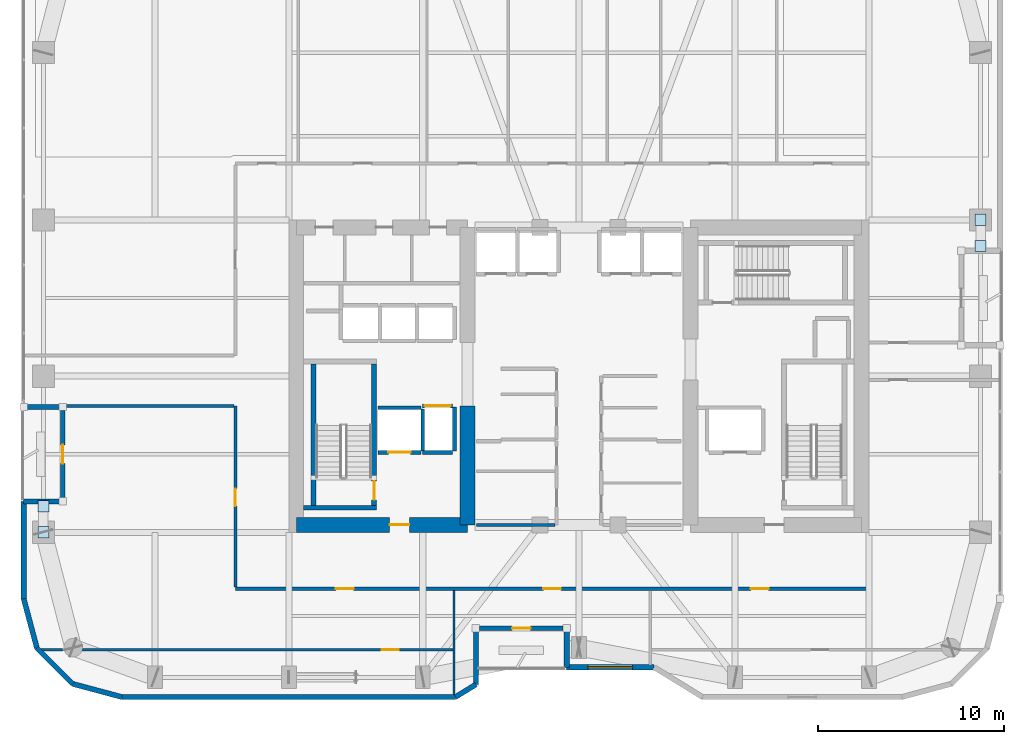
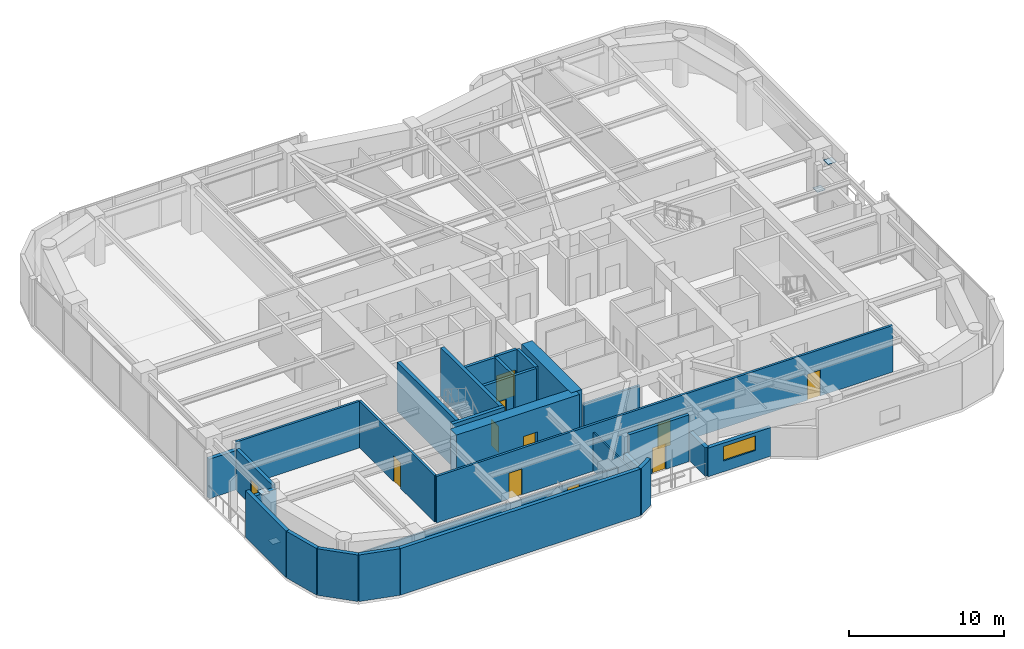
# One storey, part 24 of 30: 30 walls, 11 doors, 4 plates, 1 window, 12 openings.
"""IFC4 building model written with IfcOpenShell, lengths in metres."""

from ifc_helpers import new_model, si_unit, direction, frame, frame_2d, origin, origin_2d, place, context, subcontext, project, spatial, rectangle, extrude, material, layer, layer_set, type_object, element, fill, save


model = new_model("IFC4")

# Units and contexts
model_context = context("Model", 3, precision=1e-05, world=origin(), true_north=direction((0.0, 1.0)))
body_context = subcontext(model_context, "Body", "Model", "MODEL_VIEW")
ifc_project = project(units=[si_unit("LENGTHUNIT", "METRE"), si_unit("AREAUNIT", "SQUARE_METRE"), si_unit("VOLUMEUNIT", "CUBIC_METRE"), si_unit("PLANEANGLEUNIT", "RADIAN"), si_unit("MASSUNIT", "GRAM", prefix="KILO")], contexts=[model_context])

# Site, building, storey
site_placement = place(None, origin())
site = spatial("IfcSite", under=ifc_project, at=site_placement, CompositionType="ELEMENT")
building_placement = place(site_placement, origin())
building = spatial("IfcBuilding", under=site, at=building_placement, Name="Kiyonajd Concourse Tower", CompositionType="ELEMENT")
storey_placement = place(building_placement, frame((0.0, 0.0, 174.0)))
storey = spatial("IfcBuildingStorey", under=building, at=storey_placement, Name="L44", CompositionType="ELEMENT", Elevation=174.0)

# Plates
ifc_material_1 = material(Name="Steel ASTM A572 Grade 50", Category="steel")
ifc_layer_1 = layer(ifc_material_1, 0.028076171875)
ifc_layer_set_1 = layer_set([ifc_layer_1], Name="Steel ASTM A572 Grade 50")
plate_type = type_object("IfcPlateType", Name="PL-CAP-450", PredefinedType="USERDEFINED", material=ifc_layer_set_1)
for number, where, z_axis, x_axis, name in (
    (1, (19.199951171875, 27.595458984375, 0.27587890625), (0.0, 0.0, 1.0), (1.0, 0.0, 0.0), "L44 Hollow Brace End Cap Plate PBW"),
    (2, (19.199951171875, 29.004638671875, 3.326171875), (0.0, 0.0, 1.0), (1.0, 0.0, 0.0), "L44 Hollow Brace Top Cap Plate PBW"),
    (3, (69.60009765625, 44.404541015625, 0.27587890625), (0.0, 0.0, 1.0), (1.0, 0.0, 0.0), "L44 Hollow Brace End Cap Plate PBE"),
    (4, (69.60009765625, 42.995361328125, 3.326171875), (0.0, 0.0, 1.0), (1.0, 0.0, 0.0), "L44 Hollow Brace Top Cap Plate PBE"),
):
    element("IfcPlate", number, at=place(storey_placement, frame(where, z_axis=z_axis, x_axis=x_axis)), inside=storey, type_object=plate_type, Name=name, ObjectType="CAP PLATE", PredefinedType="USERDEFINED", context=body_context, shape_type="SweptSolid", body=[
        extrude(rectangle(XDim=0.60791015625, YDim=0.60791015625, at=origin_2d()), origin(), (0.0, 0.0, 1.0), 0.028076171875),
    ])

# Wall
ifc_material_2 = material(Name="Concrete C70/85", Category="concrete")
ifc_layer_2 = layer(ifc_material_2, 0.800048828125)
ifc_layer_set_2 = layer_set([ifc_layer_2], Name="Concrete C70/85")
wall_type_1 = type_object("IfcWallType", Name="WL-CORE-800", PredefinedType="SHEAR", material=ifc_layer_set_2)
wall_1_placement = place(storey_placement, frame((42.0, 28.0, 0.0), z_axis=(0.0, 0.0, 1.0), x_axis=(0.0, 1.0, 0.0)))
element("IfcWall", 5, at=wall_1_placement, inside=storey, type_object=wall_type_1, Name="L44 West Core Inner South Shear Wall", PredefinedType="SHEAR", context=body_context, shape_type="SweptSolid", body=[
    extrude(rectangle(XDim=6.39990234375, YDim=0.800048828125, at=frame_2d((3.199951171875, 0.0))), origin(), (0.0, 0.0, 1.0), 3.89990234375),
])

# Wall, opening, door
wall_2_placement = place(storey_placement, frame((32.800048828125, 28.0, 0.0), z_axis=(0.0, 0.0, 1.0), x_axis=(1.0, 0.0, 0.0)))
wall_2 = element("IfcWall", 6, at=wall_2_placement, inside=storey, type_object=wall_type_1, Name="L44 West Core South Shear Wall", PredefinedType="SHEAR", context=body_context, shape_type="SweptSolid", body=[
    extrude(rectangle(XDim=9.199951171875, YDim=0.800048828125, at=frame_2d((4.60009765625, 0.0))), origin(), (0.0, 0.0, 1.0), 3.89990234375),
])
opening_1_placement = place(wall_2_placement, frame((5.02490234375, 0.0, 0.0)))
opening_1 = element("IfcOpeningElement", 7, at=opening_1_placement, cuts=wall_2, Name="Opening DF5", PredefinedType="OPENING", context=body_context, shape_type="SweptSolid", body=[
    extrude(rectangle(XDim=1.050048828125, YDim=2.0400390625, at=frame_2d((0.52490234375, 1.02001953125))), frame((0.0, 0.409912109375, 0.0), z_axis=(0.0, -1.0, 0.0), x_axis=(1.0, 0.0, 0.0)), (0.0, 0.0, 1.0), 0.820068359375),
])
ifc_material_3 = material(Name="Brushed Stainless Steel Cab Assembly", Category="steel")
door_type_1 = type_object("IfcDoorType", Name="DR-FD45-1050", OperationType="NOTDEFINED", PredefinedType="DOOR", material=ifc_material_3)
door_1_placement = place(opening_1_placement, origin())
door_1 = element("IfcDoor", 8, at=door_1_placement, inside=storey, type_object=door_type_1, Name="L44 Firefighting Lift Lobby W Smoke Door", OperationType="SINGLE_SWING_LEFT", OverallHeight=2.0400390625, OverallWidth=1.050048828125, PredefinedType="DOOR", context=body_context, shape_type="SweptSolid", body=[
    extrude(rectangle(XDim=1.050048828125, YDim=2.0400390625, at=frame_2d((0.52490234375, 1.02001953125))), frame((0.0, 0.02490234375, 0.0), z_axis=(0.0, -1.0, 0.0), x_axis=(1.0, 0.0, 0.0)), (0.0, 0.0, 1.0), 0.050048828125),
])
fill(opening_1, door_1)

# Walls
ifc_material_4 = material(Name="Precast concrete C50/60", Category="concrete")
ifc_layer_3 = layer(ifc_material_4, 0.280029296875)
ifc_layer_set_3 = layer_set([ifc_layer_3], Name="Precast concrete C50/60")
wall_type_2 = type_object("IfcWallType", Name="WL-EXT-280", PredefinedType="SOLIDWALL", material=ifc_layer_set_3)
wall_3_placement = place(storey_placement, frame((18.848388671875, 21.37255859375, 0.0), z_axis=(0.0, 0.0, 1.0), x_axis=(-0.258672222976, 0.9659651552, 0.0)))
element("IfcWall", 9, at=wall_3_placement, inside=storey, type_object=wall_type_2, Name="L44 Exterior Concrete Frame Wall 00", PredefinedType="SOLIDWALL", context=body_context, shape_type="SweptSolid", body=[
    extrude(rectangle(XDim=2.739013671875, YDim=0.280029296875, at=frame_2d((1.36962890625, 0.0))), origin(), (0.0, 0.0, 1.0), 3.679931640625),
])
wall_4_placement = place(storey_placement, frame((18.139892578125, 24.018310546875, 0.0), z_axis=(0.0, 0.0, 1.0), x_axis=(0.0, 1.0, 0.0)))
element("IfcWall", 10, at=wall_4_placement, inside=storey, type_object=wall_type_2, Name="L44 Exterior Concrete Frame Wall 01", PredefinedType="SOLIDWALL", context=body_context, shape_type="SweptSolid", body=[
    extrude(rectangle(XDim=5.24169921875, YDim=0.280029296875, at=frame_2d((2.620849609375, 0.0))), origin(), (0.0, 0.0, 1.0), 3.679931640625),
])
for number, where, z_axis, x_axis, name in (
    (11, (18.139892578125, 29.260009765625, 0.0), (0.0, 0.0, 1.0), (1.0, 0.0, 0.0), "L44 Exterior Concrete Frame Wall 02"),
    (12, (20.239990234375, 34.340087890625, 0.0), (0.0, 0.0, 1.0), (-1.0, 0.0, 0.0), "L44 Exterior Concrete Frame Wall 04"),
):
    element("IfcWall", number, at=place(storey_placement, frame(where, z_axis=z_axis, x_axis=x_axis)), inside=storey, type_object=wall_type_2, Name=name, PredefinedType="SOLIDWALL", context=body_context, shape_type="SweptSolid", body=[
        extrude(rectangle(XDim=2.10009765625, YDim=0.280029296875, at=frame_2d((1.050048828125, 0.0))), origin(), (0.0, 0.0, 1.0), 3.115966796875),
    ])

# Wall, opening, window
wall_5_placement = place(storey_placement, frame((52.03955078125, 20.340087890625, 0.0), z_axis=(0.0, 0.0, 1.0), x_axis=(-1.0, 0.0, 0.0)))
wall_5 = element("IfcWall", 13, at=wall_5_placement, inside=storey, type_object=wall_type_2, Name="L44 Exterior Concrete Frame Wall 30", PredefinedType="SOLIDWALL", context=body_context, shape_type="SweptSolid", body=[
    extrude(rectangle(XDim=4.699462890625, YDim=0.280029296875, at=frame_2d((2.349609375, 0.0))), origin(), (0.0, 0.0, 1.0), 2.264892578125),
])
opening_2_placement = place(wall_5_placement, frame((1.155029296875, 0.0, 0.85009765625)))
opening_2 = element("IfcOpeningElement", 14, at=opening_2_placement, cuts=wall_5, Name="Opening WN4", PredefinedType="OPENING", context=body_context, shape_type="SweptSolid", body=[
    extrude(rectangle(XDim=2.39990234375, YDim=1.14990234375, at=frame_2d((1.199951171875, 0.574951171875))), frame((0.0, 0.14990234375, 0.0), z_axis=(0.0, -1.0, 0.0), x_axis=(1.0, 0.0, 0.0)), (0.0, 0.0, 1.0), 0.300048828125),
])
ifc_material_5 = material(Name="Double Low-E Insulated Glass", Category="glass")
window_type = type_object("IfcWindowType", Name="WN-VIS-2400x1150", PartitioningType="SINGLE_PANEL", PredefinedType="WINDOW", material=ifc_material_5)
window_placement = place(opening_2_placement, origin())
window = element("IfcWindow", 15, at=window_placement, inside=storey, type_object=window_type, Name="L44 Modular Facade Vision Window 30", OverallHeight=1.14990234375, OverallWidth=2.39990234375, PartitioningType="SINGLE_PANEL", PredefinedType="WINDOW", context=body_context, shape_type="SweptSolid", body=[
    extrude(rectangle(XDim=2.39990234375, YDim=1.14990234375, at=frame_2d((1.199951171875, 0.574951171875))), frame((0.0, 0.030029296875, 0.0), z_axis=(0.0, -1.0, 0.0), x_axis=(1.0, 0.0, 0.0)), (0.0, 0.0, 1.0), 0.06005859375),
])
fill(opening_2, window)

# Walls
wall_6_placement = place(storey_placement, frame((47.340087890625, 20.340087890625, 0.0), z_axis=(0.0, 0.0, 1.0), x_axis=(0.0, 1.0, 0.0)))
element("IfcWall", 16, at=wall_6_placement, inside=storey, type_object=wall_type_2, Name="L44 Exterior Concrete Frame Wall 31", PredefinedType="SOLIDWALL", context=body_context, shape_type="SweptSolid", body=[
    extrude(rectangle(XDim=2.099853515625, YDim=0.280029296875, at=frame_2d((1.0498046875, 0.0))), origin(), (0.0, 0.0, 1.0), 2.264892578125),
])
wall_7_placement = place(storey_placement, frame((42.4599609375, 22.43994140625, 0.0), z_axis=(0.0, 0.0, 1.0), x_axis=(0.0, -1.0, 0.0)))
element("IfcWall", 17, at=wall_7_placement, inside=storey, type_object=wall_type_2, Name="L44 Exterior Concrete Frame Wall 33", PredefinedType="SOLIDWALL", context=body_context, shape_type="SweptSolid", body=[
    extrude(rectangle(XDim=3.023681640625, YDim=0.280029296875, at=frame_2d((1.51171875, 0.0))), origin(), (0.0, 0.0, 1.0), 2.264892578125),
])
wall_8_placement = place(storey_placement, frame((42.4599609375, 19.416259765625, 0.0), z_axis=(0.0, 0.0, 1.0), x_axis=(-0.851801140441, -0.523865266212, 0.0)))
element("IfcWall", 18, at=wall_8_placement, inside=storey, type_object=wall_type_2, Name="L44 Exterior Concrete Frame Wall 34", PredefinedType="SOLIDWALL", context=body_context, shape_type="SweptSolid", body=[
    extrude(rectangle(XDim=1.291015625, YDim=0.280029296875, at=frame_2d((0.6455078125, 0.0))), origin(), (0.0, 0.0, 1.0), 3.679931640625),
])
wall_9_placement = place(storey_placement, frame((41.3603515625, 18.739990234375, 0.0), z_axis=(0.0, 0.0, 1.0), x_axis=(-1.0, 0.0, 0.0)))
element("IfcWall", 19, at=wall_9_placement, inside=storey, type_object=wall_type_2, Name="L44 Exterior Concrete Frame Wall 35", PredefinedType="SOLIDWALL", context=body_context, shape_type="SweptSolid", body=[
    extrude(rectangle(XDim=17.94189453125, YDim=0.280029296875, at=frame_2d((8.970947265625, 0.0))), origin(), (0.0, 0.0, 1.0), 3.679931640625),
])
wall_10_placement = place(storey_placement, frame((23.41845703125, 18.739990234375, 0.0), z_axis=(0.0, 0.0, 1.0), x_axis=(-0.965971118627, 0.258649952598, 0.0)))
element("IfcWall", 20, at=wall_10_placement, inside=storey, type_object=wall_type_2, Name="L44 Exterior Concrete Frame Wall 36", PredefinedType="SOLIDWALL", context=body_context, shape_type="SweptSolid", body=[
    extrude(rectangle(XDim=2.7392578125, YDim=0.280029296875, at=frame_2d((1.36962890625, 0.0))), origin(), (0.0, 0.0, 1.0), 3.679931640625),
])
wall_11_placement = place(storey_placement, frame((20.7724609375, 19.448486328125, 0.0), z_axis=(0.0, 0.0, 1.0), x_axis=(-0.707106781187, 0.707106781187, 0.0)))
element("IfcWall", 21, at=wall_11_placement, inside=storey, type_object=wall_type_2, Name="L44 Exterior Concrete Frame Wall 37", PredefinedType="SOLIDWALL", context=body_context, shape_type="SweptSolid", body=[
    extrude(rectangle(XDim=2.720947265625, YDim=0.280029296875, at=frame_2d((1.3603515625, 0.0))), origin(), (0.0, 0.0, 1.0), 3.679931640625),
])

# Wall, opening, door
ifc_layer_4 = layer(ifc_material_4, 0.239990234375)
ifc_layer_set_4 = layer_set([ifc_layer_4], Name="Precast concrete C50/60")
wall_type_3 = type_object("IfcWallType", Name="WL-LOG-240", PredefinedType="SOLIDWALL", material=ifc_layer_set_4)
wall_12_placement = place(storey_placement, frame((20.239990234375, 29.455078125, 0.0), z_axis=(0.0, 0.0, 1.0), x_axis=(0.0, 1.0, 0.0)))
wall_12 = element("IfcWall", 22, at=wall_12_placement, inside=storey, type_object=wall_type_3, Name="L44 Recessed Loggia Thermal Wall LOG-W", PredefinedType="SOLIDWALL", context=body_context, shape_type="SweptSolid", body=[
    extrude(rectangle(XDim=4.68994140625, YDim=0.239990234375, at=frame_2d((2.344970703125, 0.0))), origin(), (0.0, 0.0, 1.0), 3.248046875),
])
opening_3_placement = place(wall_12_placement, frame((1.844970703125, 0.0, 0.0)))
opening_3 = element("IfcOpeningElement", 23, at=opening_3_placement, cuts=wall_12, Name="Opening DL1", PredefinedType="OPENING", context=body_context, shape_type="SweptSolid", body=[
    extrude(rectangle(XDim=1.0, YDim=2.02001953125, at=frame_2d((0.5, 1.010009765625))), frame((0.0, 0.1298828125, 0.0), z_axis=(0.0, -1.0, 0.0), x_axis=(1.0, 0.0, 0.0)), (0.0, 0.0, 1.0), 0.260009765625),
])
ifc_material_6 = material(Name="Thermally Broken Anodised Aluminium", Category="aluminium")
door_type_2 = type_object("IfcDoorType", Name="DR-LOG-1000", OperationType="NOTDEFINED", PredefinedType="DOOR", material=ifc_material_6)
door_2_placement = place(opening_3_placement, origin())
door_2 = element("IfcDoor", 24, at=door_2_placement, inside=storey, type_object=door_type_2, Name="L44 Engawa Loggia Access Door LOG-W", OperationType="SINGLE_SWING_LEFT", OverallHeight=2.02001953125, OverallWidth=1.0, PredefinedType="DOOR", context=body_context, shape_type="SweptSolid", body=[
    extrude(rectangle(XDim=1.0, YDim=2.02001953125, at=frame_2d((0.5, 1.010009765625))), frame((0.0, 0.02490234375, 0.0), z_axis=(0.0, -1.0, 0.0), x_axis=(1.0, 0.0, 0.0)), (0.0, 0.0, 1.0), 0.050048828125),
])
fill(opening_3, door_2)

wall_13_placement = place(storey_placement, frame((47.14501953125, 22.43994140625, 0.0), z_axis=(0.0, 0.0, 1.0), x_axis=(-1.0, 0.0, 0.0)))
wall_13 = element("IfcWall", 25, at=wall_13_placement, inside=storey, type_object=wall_type_3, Name="L44 Recessed Loggia Thermal Wall LOG-S", PredefinedType="SOLIDWALL", context=body_context, shape_type="SweptSolid", body=[
    extrude(rectangle(XDim=4.489990234375, YDim=0.239990234375, at=frame_2d((2.2451171875, 0.0))), origin(), (0.0, 0.0, 1.0), 3.679931640625),
])
opening_4_placement = place(wall_13_placement, frame((1.7451171875, 0.0, 0.0)))
opening_4 = element("IfcOpeningElement", 26, at=opening_4_placement, cuts=wall_13, Name="Opening DL1", PredefinedType="OPENING", context=body_context, shape_type="SweptSolid", body=[
    extrude(rectangle(XDim=1.0, YDim=2.02001953125, at=frame_2d((0.5, 1.010009765625))), frame((0.0, 0.1298828125, 0.0), z_axis=(0.0, -1.0, 0.0), x_axis=(1.0, 0.0, 0.0)), (0.0, 0.0, 1.0), 0.260009765625),
])
door_3_placement = place(opening_4_placement, origin())
door_3 = element("IfcDoor", 27, at=door_3_placement, inside=storey, type_object=door_type_2, Name="L44 Engawa Loggia Access Door LOG-S", OperationType="SINGLE_SWING_RIGHT", OverallHeight=2.02001953125, OverallWidth=1.0, PredefinedType="DOOR", context=body_context, shape_type="SweptSolid", body=[
    extrude(rectangle(XDim=1.0, YDim=2.02001953125, at=frame_2d((0.5, 1.010009765625))), frame((0.0, 0.02490234375, 0.0), z_axis=(0.0, -1.0, 0.0), x_axis=(1.0, 0.0, 0.0)), (0.0, 0.0, 1.0), 0.050048828125),
])
fill(opening_4, door_3)

ifc_material_7 = material(Name="Gypsum Board on Cold-Formed Steel Stud", Category="steel")
ifc_layer_5 = layer(ifc_material_7, 0.125)
ifc_layer_set_5 = layer_set([ifc_layer_5], Name="Gypsum Board on Cold-Formed Steel Stud")
wall_type_4 = type_object("IfcWallType", Name="WL-PART-125", PredefinedType="PARTITIONING", material=ifc_layer_set_5)
wall_14_placement = place(storey_placement, frame((19.077880859375, 21.280029296875, 0.0), z_axis=(0.0, 0.0, 1.0), x_axis=(1.0, 0.0, 0.0)))
wall_14 = element("IfcWall", 28, at=wall_14_placement, inside=storey, type_object=wall_type_4, Name="L44 Interior Partition Wall", PredefinedType="PARTITIONING", context=body_context, shape_type="SweptSolid", body=[
    extrude(rectangle(XDim=22.2021484375, YDim=0.125, at=frame_2d((11.10107421875, 0.0))), origin(), (0.0, 0.0, 1.0), 2.264892578125),
])
opening_5_placement = place(wall_14_placement, frame((18.322021484375, 0.0, 0.0)))
opening_5 = element("IfcOpeningElement", 29, at=opening_5_placement, cuts=wall_14, Name="Opening DI2", PredefinedType="OPENING", context=body_context, shape_type="SweptSolid", body=[
    extrude(rectangle(XDim=0.89990234375, YDim=2.02001953125, at=frame_2d((0.449951171875, 1.010009765625))), frame((0.0, 0.072509765625, 0.0), z_axis=(0.0, -1.0, 0.0), x_axis=(1.0, 0.0, 0.0)), (0.0, 0.0, 1.0), 0.14501953125),
])
ifc_material_8 = material(Name="Natural Oak Acoustic Timber Veneer", Category="wood")
door_type_3 = type_object("IfcDoorType", Name="DR-INT-900", OperationType="NOTDEFINED", PredefinedType="DOOR", material=ifc_material_8)
door_4_placement = place(opening_5_placement, origin())
door_4 = element("IfcDoor", 30, at=door_4_placement, inside=storey, type_object=door_type_3, Name="L44 Interior Door", OperationType="SINGLE_SWING_RIGHT", OverallHeight=2.02001953125, OverallWidth=0.89990234375, PredefinedType="DOOR", context=body_context, shape_type="SweptSolid", body=[
    extrude(rectangle(XDim=0.89990234375, YDim=2.02001953125, at=frame_2d((0.449951171875, 1.010009765625))), frame((0.0, 0.02490234375, 0.0), z_axis=(0.0, -1.0, 0.0), x_axis=(1.0, 0.0, 0.0)), (0.0, 0.0, 1.0), 0.050048828125),
])
fill(opening_5, door_4)

# Wall
wall_15_placement = place(storey_placement, frame((41.280029296875, 18.875, 0.0), z_axis=(0.0, 0.0, 1.0), x_axis=(0.0, 1.0, 0.0)))
element("IfcWall", 31, at=wall_15_placement, inside=storey, type_object=wall_type_4, Name="L44 Interior Partition Wall", PredefinedType="PARTITIONING", context=body_context, shape_type="SweptSolid", body=[
    extrude(rectangle(XDim=5.597900390625, YDim=0.125, at=frame_2d((2.798828125, 0.0))), origin(), (0.0, 0.0, 1.0), 3.04296875),
])

# Wall, opening, door
ifc_layer_6 = layer(ifc_material_7, 0.2099609375)
ifc_layer_set_6 = layer_set([ifc_layer_6], Name="Gypsum Board on Cold-Formed Steel Stud")
wall_type_5 = type_object("IfcWallType", Name="WL-SHAFT-210", PredefinedType="PARTITIONING", material=ifc_layer_set_6)
wall_16_placement = place(storey_placement, frame((37.199951171875, 31.89990234375, 0.0), z_axis=(0.0, 0.0, 1.0), x_axis=(1.0, 0.0, 0.0)))
wall_16 = element("IfcWall", 32, at=wall_16_placement, inside=storey, type_object=wall_type_5, Name="L44 Shaft Enclosure Wall", PredefinedType="PARTITIONING", context=body_context, shape_type="SweptSolid", body=[
    extrude(rectangle(XDim=2.300048828125, YDim=0.2099609375, at=frame_2d((1.14990234375, 0.0))), origin(), (0.0, 0.0, 1.0), 3.679931640625),
])
opening_6_placement = place(wall_16_placement, frame((0.550048828125, 0.0, 0.0)))
opening_6 = element("IfcOpeningElement", 33, at=opening_6_placement, cuts=wall_16, Name="Opening LD2", PredefinedType="OPENING", context=body_context, shape_type="SweptSolid", body=[
    extrude(rectangle(XDim=1.199951171875, YDim=2.0400390625, at=frame_2d((0.60009765625, 1.02001953125))), frame((0.0, 0.114990234375, 0.0), z_axis=(0.0, -1.0, 0.0), x_axis=(1.0, 0.0, 0.0)), (0.0, 0.0, 1.0), 0.22998046875),
])
door_type_4 = type_object("IfcDoorType", Name="DR-LD-1200", OperationType="DOUBLE_DOOR_SLIDING", PredefinedType="DOOR", material=ifc_material_3)
door_5_placement = place(opening_6_placement, origin())
door_5 = element("IfcDoor", 34, at=door_5_placement, inside=storey, type_object=door_type_4, Name="L44 Lift FFL1 Sliding Landing Door", OperationType="DOUBLE_DOOR_SLIDING", OverallHeight=2.0400390625, OverallWidth=1.199951171875, PredefinedType="DOOR", context=body_context, shape_type="SweptSolid", body=[
    extrude(rectangle(XDim=1.199951171875, YDim=2.0400390625, at=frame_2d((0.60009765625, 1.02001953125))), frame((0.0, 0.02490234375, 0.0), z_axis=(0.0, -1.0, 0.0), x_axis=(1.0, 0.0, 0.0)), (0.0, 0.0, 1.0), 0.050048828125),
])
fill(opening_6, door_5)

# Walls
wall_17_placement = place(storey_placement, frame((37.199951171875, 34.300048828125, 0.0), z_axis=(0.0, 0.0, 1.0), x_axis=(1.0, 0.0, 0.0)))
element("IfcWall", 35, at=wall_17_placement, inside=storey, type_object=wall_type_5, Name="L44 Shaft Enclosure Wall", PredefinedType="PARTITIONING", context=body_context, shape_type="SweptSolid", body=[
    extrude(rectangle(XDim=2.300048828125, YDim=0.2099609375, at=frame_2d((1.14990234375, 0.0))), origin(), (0.0, 0.0, 1.0), 3.679931640625),
])
wall_18_placement = place(storey_placement, frame((39.60009765625, 31.9599609375, 0.0), z_axis=(0.0, 0.0, 1.0), x_axis=(0.0, 1.0, 0.0)))
element("IfcWall", 36, at=wall_18_placement, inside=storey, type_object=wall_type_5, Name="L44 Shaft Enclosure Wall", PredefinedType="PARTITIONING", context=body_context, shape_type="SweptSolid", body=[
    extrude(rectangle(XDim=2.280029296875, YDim=0.2099609375, at=frame_2d((1.14013671875, 0.0))), origin(), (0.0, 0.0, 1.0), 3.679931640625),
])

# Wall, opening, door
wall_19_placement = place(storey_placement, frame((39.60009765625, 34.39990234375, 0.0), z_axis=(0.0, 0.0, 1.0), x_axis=(1.0, 0.0, 0.0)))
wall_19 = element("IfcWall", 37, at=wall_19_placement, inside=storey, type_object=wall_type_5, Name="L44 Shaft Enclosure Wall", PredefinedType="PARTITIONING", context=body_context, shape_type="SweptSolid", body=[
    extrude(rectangle(XDim=1.599853515625, YDim=0.2099609375, at=frame_2d((0.7998046875, 0.0))), origin(), (0.0, 0.0, 1.0), 3.679931640625),
])
opening_7_placement = place(wall_19_placement, frame((0.10009765625, 0.0, 0.0)))
opening_7 = element("IfcOpeningElement", 38, at=opening_7_placement, cuts=wall_19, Name="Opening LD3", PredefinedType="OPENING", context=body_context, shape_type="SweptSolid", body=[
    extrude(rectangle(XDim=1.39990234375, YDim=2.06005859375, at=frame_2d((0.699951171875, 1.030029296875))), frame((0.0, 0.114990234375, 0.0), z_axis=(0.0, -1.0, 0.0), x_axis=(1.0, 0.0, 0.0)), (0.0, 0.0, 1.0), 0.22998046875),
])
door_type_5 = type_object("IfcDoorType", Name="DR-LD-1400", OperationType="DOUBLE_DOOR_SLIDING", PredefinedType="DOOR", material=ifc_material_3)
door_6_placement = place(opening_7_placement, origin())
door_6 = element("IfcDoor", 39, at=door_6_placement, inside=storey, type_object=door_type_5, Name="L44 Lift SVL1 Sliding Landing Door", OperationType="DOUBLE_DOOR_SLIDING", OverallHeight=2.06005859375, OverallWidth=1.39990234375, PredefinedType="DOOR", context=body_context, shape_type="SweptSolid", body=[
    extrude(rectangle(XDim=1.39990234375, YDim=2.06005859375, at=frame_2d((0.699951171875, 1.030029296875))), frame((0.0, 0.02490234375, 0.0), z_axis=(0.0, -1.0, 0.0), x_axis=(1.0, 0.0, 0.0)), (0.0, 0.0, 1.0), 0.050048828125),
])
fill(opening_7, door_6)

# Walls
wall_20_placement = place(storey_placement, frame((39.60009765625, 31.89990234375, 0.0), z_axis=(0.0, 0.0, 1.0), x_axis=(1.0, 0.0, 0.0)))
element("IfcWall", 40, at=wall_20_placement, inside=storey, type_object=wall_type_5, Name="L44 Shaft Enclosure Wall", PredefinedType="PARTITIONING", context=body_context, shape_type="SweptSolid", body=[
    extrude(rectangle(XDim=1.599853515625, YDim=0.2099609375, at=frame_2d((0.7998046875, 0.0))), origin(), (0.0, 0.0, 1.0), 3.679931640625),
])
wall_21_placement = place(storey_placement, frame((41.300048828125, 31.9599609375, 0.0), z_axis=(0.0, 0.0, 1.0), x_axis=(0.0, 1.0, 0.0)))
element("IfcWall", 41, at=wall_21_placement, inside=storey, type_object=wall_type_5, Name="L44 Shaft Enclosure Wall", PredefinedType="PARTITIONING", context=body_context, shape_type="SweptSolid", body=[
    extrude(rectangle(XDim=2.380126953125, YDim=0.2099609375, at=frame_2d((1.18994140625, 0.0))), origin(), (0.0, 0.0, 1.0), 3.679931640625),
])
ifc_layer_7 = layer(ifc_material_7, 0.169921875)
ifc_layer_set_7 = layer_set([ifc_layer_7], Name="Gypsum Board on Cold-Formed Steel Stud")
wall_type_6 = type_object("IfcWallType", Name="WL-SMK-170", PredefinedType="PARTITIONING", material=ifc_layer_set_7)
wall_22_placement = place(storey_placement, frame((42.5, 28.0, 0.0), z_axis=(0.0, 0.0, 1.0), x_axis=(1.0, 0.0, 0.0)))
element("IfcWall", 42, at=wall_22_placement, inside=storey, type_object=wall_type_6, Name="L44 Interior Partition Wall", PredefinedType="PARTITIONING", context=body_context, shape_type="SweptSolid", body=[
    extrude(rectangle(XDim=4.212890625, YDim=0.169921875, at=frame_2d((2.1064453125, 0.0))), origin(), (0.0, 0.0, 1.0), 2.764892578125),
])

# Wall, openings, doors
wall_23_placement = place(storey_placement, frame((29.52490234375, 24.56005859375, 0.0), z_axis=(0.0, 0.0, 1.0), x_axis=(1.0, 0.0, 0.0)))
wall_23 = element("IfcWall", 43, at=wall_23_placement, inside=storey, type_object=wall_type_6, Name="L44 Interior Partition Wall", PredefinedType="PARTITIONING", context=body_context, shape_type="SweptSolid", body=[
    extrude(rectangle(XDim=34.0751953125, YDim=0.169921875, at=frame_2d((17.03759765625, 0.0))), origin(), (0.0, 0.0, 1.0), 3.679931640625),
])
opening_8_placement = place(wall_23_placement, frame((5.403076171875, 0.0, 0.0)))
opening_8 = element("IfcOpeningElement", 44, at=opening_8_placement, cuts=wall_23, Name="Opening DI1", PredefinedType="OPENING", context=body_context, shape_type="SweptSolid", body=[
    extrude(rectangle(XDim=0.949951171875, YDim=2.0400390625, at=frame_2d((0.47509765625, 1.02001953125))), frame((0.0, 0.094970703125, 0.0), z_axis=(0.0, -1.0, 0.0), x_axis=(1.0, 0.0, 0.0)), (0.0, 0.0, 1.0), 0.18994140625),
])
opening_9_placement = place(wall_23_placement, frame((16.56005859375, 0.0, 0.0)))
opening_9 = element("IfcOpeningElement", 45, at=opening_9_placement, cuts=wall_23, Name="Opening DI1", PredefinedType="OPENING", context=body_context, shape_type="SweptSolid", body=[
    extrude(rectangle(XDim=0.949951171875, YDim=2.0400390625, at=frame_2d((0.47509765625, 1.02001953125))), frame((0.0, 0.094970703125, 0.0), z_axis=(0.0, -1.0, 0.0), x_axis=(1.0, 0.0, 0.0)), (0.0, 0.0, 1.0), 0.18994140625),
])
opening_10_placement = place(wall_23_placement, frame((27.719970703125, 0.0, 0.0)))
opening_10 = element("IfcOpeningElement", 46, at=opening_10_placement, cuts=wall_23, Name="Opening DI1", PredefinedType="OPENING", context=body_context, shape_type="SweptSolid", body=[
    extrude(rectangle(XDim=0.949951171875, YDim=2.0400390625, at=frame_2d((0.47509765625, 1.02001953125))), frame((0.0, 0.094970703125, 0.0), z_axis=(0.0, -1.0, 0.0), x_axis=(1.0, 0.0, 0.0)), (0.0, 0.0, 1.0), 0.18994140625),
])
door_type_6 = type_object("IfcDoorType", Name="DR-INT-950", OperationType="NOTDEFINED", PredefinedType="DOOR", material=ifc_material_8)
door_7_placement = place(opening_8_placement, origin())
door_7 = element("IfcDoor", 47, at=door_7_placement, inside=storey, type_object=door_type_6, Name="L44 Interior Door", OperationType="SINGLE_SWING_LEFT", OverallHeight=2.0400390625, OverallWidth=0.949951171875, PredefinedType="DOOR", context=body_context, shape_type="SweptSolid", body=[
    extrude(rectangle(XDim=0.949951171875, YDim=2.0400390625, at=frame_2d((0.47509765625, 1.02001953125))), frame((0.0, 0.02490234375, 0.0), z_axis=(0.0, -1.0, 0.0), x_axis=(1.0, 0.0, 0.0)), (0.0, 0.0, 1.0), 0.050048828125),
])
fill(opening_8, door_7)
door_8_placement = place(opening_9_placement, origin())
door_8 = element("IfcDoor", 48, at=door_8_placement, inside=storey, type_object=door_type_6, Name="L44 Interior Door", OperationType="SINGLE_SWING_RIGHT", OverallHeight=2.0400390625, OverallWidth=0.949951171875, PredefinedType="DOOR", context=body_context, shape_type="SweptSolid", body=[
    extrude(rectangle(XDim=0.949951171875, YDim=2.0400390625, at=frame_2d((0.47509765625, 1.02001953125))), frame((0.0, 0.02490234375, 0.0), z_axis=(0.0, -1.0, 0.0), x_axis=(1.0, 0.0, 0.0)), (0.0, 0.0, 1.0), 0.050048828125),
])
fill(opening_9, door_8)
door_9_placement = place(opening_10_placement, origin())
door_9 = element("IfcDoor", 49, at=door_9_placement, inside=storey, type_object=door_type_6, Name="L44 Interior Door", OperationType="SINGLE_SWING_RIGHT", OverallHeight=2.0400390625, OverallWidth=0.949951171875, PredefinedType="DOOR", context=body_context, shape_type="SweptSolid", body=[
    extrude(rectangle(XDim=0.949951171875, YDim=2.0400390625, at=frame_2d((0.47509765625, 1.02001953125))), frame((0.0, 0.02490234375, 0.0), z_axis=(0.0, -1.0, 0.0), x_axis=(1.0, 0.0, 0.0)), (0.0, 0.0, 1.0), 0.050048828125),
])
fill(opening_10, door_9)

# Wall, opening, door
wall_24_placement = place(storey_placement, frame((29.52490234375, 24.64697265625, 0.0), z_axis=(0.0, 0.0, 1.0), x_axis=(0.0, 1.0, 0.0)))
wall_24 = element("IfcWall", 50, at=wall_24_placement, inside=storey, type_object=wall_type_6, Name="L44 Interior Partition Wall", PredefinedType="PARTITIONING", context=body_context, shape_type="SweptSolid", body=[
    extrude(rectangle(XDim=9.7529296875, YDim=0.169921875, at=frame_2d((4.87646484375, 0.0))), origin(), (0.0, 0.0, 1.0), 3.679931640625),
])
opening_11_placement = place(wall_24_placement, frame((4.35791015625, 0.0, 0.0)))
opening_11 = element("IfcOpeningElement", 51, at=opening_11_placement, cuts=wall_24, Name="Opening DI1", PredefinedType="OPENING", context=body_context, shape_type="SweptSolid", body=[
    extrude(rectangle(XDim=0.949951171875, YDim=2.0400390625, at=frame_2d((0.47509765625, 1.02001953125))), frame((0.0, 0.094970703125, 0.0), z_axis=(0.0, -1.0, 0.0), x_axis=(1.0, 0.0, 0.0)), (0.0, 0.0, 1.0), 0.18994140625),
])
door_10_placement = place(opening_11_placement, origin())
door_10 = element("IfcDoor", 52, at=door_10_placement, inside=storey, type_object=door_type_6, Name="L44 Interior Door", OperationType="SINGLE_SWING_RIGHT", OverallHeight=2.0400390625, OverallWidth=0.949951171875, PredefinedType="DOOR", context=body_context, shape_type="SweptSolid", body=[
    extrude(rectangle(XDim=0.949951171875, YDim=2.0400390625, at=frame_2d((0.47509765625, 1.02001953125))), frame((0.0, 0.02490234375, 0.0), z_axis=(0.0, -1.0, 0.0), x_axis=(1.0, 0.0, 0.0)), (0.0, 0.0, 1.0), 0.050048828125),
])
fill(opening_11, door_10)

# Walls
wall_25_placement = place(storey_placement, frame((20.239990234375, 34.39990234375, 0.0), z_axis=(0.0, 0.0, 1.0), x_axis=(1.0, 0.0, 0.0)))
element("IfcWall", 53, at=wall_25_placement, inside=storey, type_object=wall_type_6, Name="L44 Interior Partition Wall", PredefinedType="PARTITIONING", context=body_context, shape_type="SweptSolid", body=[
    extrude(rectangle(XDim=9.197998046875, YDim=0.169921875, at=frame_2d((4.59912109375, 0.0))), origin(), (0.0, 0.0, 1.0), 3.679931640625),
])
ifc_material_9 = material(Name="Concrete C50/60", Category="concrete")
ifc_layer_8 = layer(ifc_material_9, 0.260009765625)
ifc_layer_set_8 = layer_set([ifc_layer_8], Name="Concrete C50/60")
wall_type_7 = type_object("IfcWallType", Name="WL-STAIR-260", PredefinedType="SHEAR", material=ifc_layer_set_8)
wall_26_placement = place(storey_placement, frame((33.199951171875, 28.919921875, 0.0), z_axis=(0.0, 0.0, 1.0), x_axis=(1.0, 0.0, 0.0)))
element("IfcWall", 54, at=wall_26_placement, inside=storey, type_object=wall_type_7, Name="L44 Stair ST1 Structural South Wall", PredefinedType="SHEAR", context=body_context, shape_type="SweptSolid", body=[
    extrude(rectangle(XDim=3.91015625, YDim=0.260009765625, at=frame_2d((1.955078125, 0.0))), origin(), (0.0, 0.0, 1.0), 3.89990234375),
])
wall_27_placement = place(storey_placement, frame((33.719970703125, 29.050048828125, 0.0), z_axis=(0.0, 0.0, 1.0), x_axis=(0.0, 1.0, 0.0)))
element("IfcWall", 55, at=wall_27_placement, inside=storey, type_object=wall_type_7, Name="L44 Stair ST1 Structural West Wall", PredefinedType="SHEAR", context=body_context, shape_type="SweptSolid", body=[
    extrude(rectangle(XDim=7.599853515625, YDim=0.260009765625, at=frame_2d((3.7998046875, 0.0))), origin(), (0.0, 0.0, 1.0), 3.89990234375),
])

# Wall, opening, door
wall_28_placement = place(storey_placement, frame((36.97998046875, 29.050048828125, 0.0), z_axis=(0.0, 0.0, 1.0), x_axis=(0.0, 1.0, 0.0)))
wall_28 = element("IfcWall", 56, at=wall_28_placement, inside=storey, type_object=wall_type_7, Name="L44 Stair ST1 Structural East Wall", PredefinedType="SHEAR", context=body_context, shape_type="SweptSolid", body=[
    extrude(rectangle(XDim=7.599853515625, YDim=0.260009765625, at=frame_2d((3.7998046875, 0.0))), origin(), (0.0, 0.0, 1.0), 3.89990234375),
])
opening_12_placement = place(wall_28_placement, frame((0.300048828125, 0.0, 0.0)))
opening_12 = element("IfcOpeningElement", 57, at=opening_12_placement, cuts=wall_28, Name="Opening DF1", PredefinedType="OPENING", context=body_context, shape_type="SweptSolid", body=[
    extrude(rectangle(XDim=1.0, YDim=2.0400390625, at=frame_2d((0.5, 1.02001953125))), frame((0.0, 0.139892578125, 0.0), z_axis=(0.0, -1.0, 0.0), x_axis=(1.0, 0.0, 0.0)), (0.0, 0.0, 1.0), 0.280029296875),
])
door_type_7 = type_object("IfcDoorType", Name="DR-FD90-1000", OperationType="NOTDEFINED", PredefinedType="DOOR", material=ifc_material_3)
door_11_placement = place(opening_12_placement, origin())
door_11 = element("IfcDoor", 58, at=door_11_placement, inside=storey, type_object=door_type_7, Name="L44 Stair ST1 FSAE Door", OperationType="SINGLE_SWING_LEFT", OverallHeight=2.0400390625, OverallWidth=1.0, PredefinedType="DOOR", context=body_context, shape_type="SweptSolid", body=[
    extrude(rectangle(XDim=1.0, YDim=2.0400390625, at=frame_2d((0.5, 1.02001953125))), frame((0.0, 0.02490234375, 0.0), z_axis=(0.0, -1.0, 0.0), x_axis=(1.0, 0.0, 0.0)), (0.0, 0.0, 1.0), 0.050048828125),
])
fill(opening_12, door_11)

save(model, "model.ifc")
